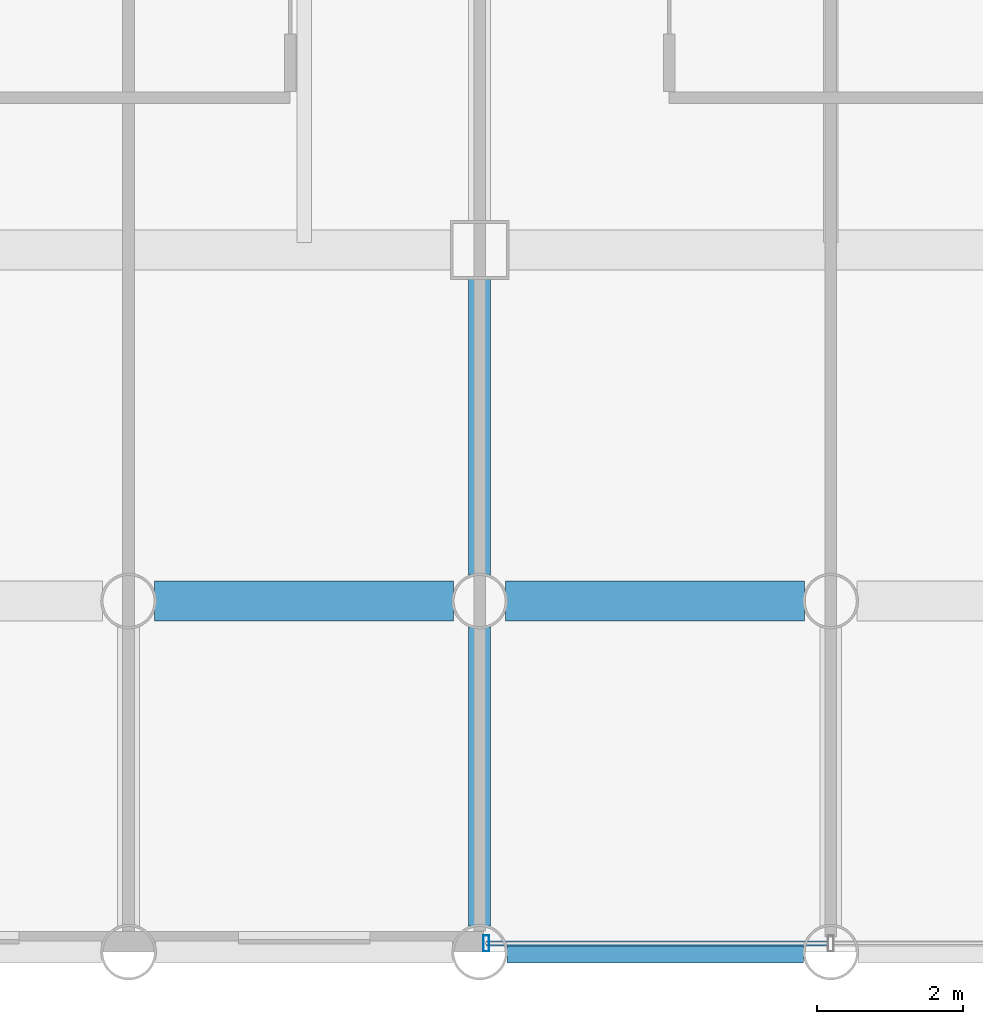
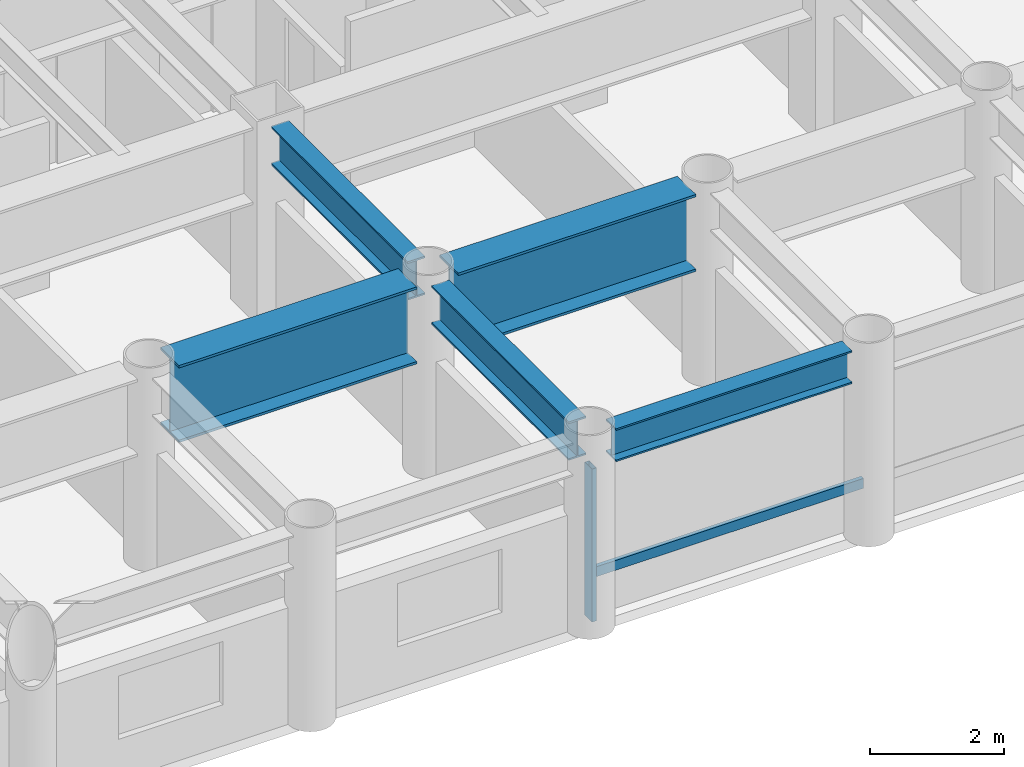
# One storey, part 2 of 24: 5 beams, 2 members, 1 element without a shape of its own.
"""IFC4 building model written with IfcOpenShell, lengths in metres."""

from ifc_helpers import new_model, si_unit, direction, frame, origin, origin_2d, place, context, subcontext, project, spatial, hollow_rectangle, i_section, extrude, material, layer, layer_set, material_profile, profile_set, type_object, element, aggregate, save


model = new_model("IFC4")

# Units and contexts
model_context = context("Model", 3, precision=1e-05, world=origin(), true_north=direction((0.0, 1.0)))
body_context = subcontext(model_context, "Body", "Model", "MODEL_VIEW")
ifc_project = project(units=[si_unit("LENGTHUNIT", "METRE"), si_unit("AREAUNIT", "SQUARE_METRE"), si_unit("VOLUMEUNIT", "CUBIC_METRE"), si_unit("PLANEANGLEUNIT", "RADIAN"), si_unit("MASSUNIT", "GRAM", prefix="KILO")], contexts=[model_context])

# Site, building, storey
site_placement = place(None, origin())
site = spatial("IfcSite", under=ifc_project, at=site_placement, CompositionType="ELEMENT")
building_placement = place(site_placement, origin())
building = spatial("IfcBuilding", under=site, at=building_placement, Name="Kallvorn Hotel Tower", CompositionType="ELEMENT")
storey_placement = place(building_placement, frame((0.0, 0.0, 30.0)))
storey = spatial("IfcBuildingStorey", under=building, at=storey_placement, Name="L05", CompositionType="ELEMENT", Elevation=30.0)

# Beams
ifc_material_1 = material(Name="Structural steel S355JR", Category="steel")
ifc_material_profile_1 = material_profile(ifc_material_1, i_section(OverallWidth=0.300048828125, OverallDepth=0.60009765625, WebThickness=0.015380859375, FlangeThickness=0.030029296875, at=origin_2d()), Name="HE 600 B")
ifc_profile_set_1 = profile_set([ifc_material_profile_1], Name="Structural steel S355JR")
beam_type_1 = type_object("IfcBeamType", Name="BM_HE600B", PredefinedType="SPANDREL", material=ifc_profile_set_1)
beam_1_placement = place(storey_placement, frame((-4.428955078125, -24.0, 3.219970703125), z_axis=(1.0, 0.0, 0.0), x_axis=(0.0, 1.0, 0.0)))
element("IfcBeam", 1, at=beam_1_placement, inside=storey, type_object=beam_type_1, Name="L06 Perimeter Spandrel 156", PredefinedType="SPANDREL", context=body_context, shape_type="SweptSolid", body=[
    extrude(i_section(OverallWidth=0.300048828125, OverallDepth=0.60009765625, WebThickness=0.015380859375, FlangeThickness=0.030029296875, at=origin_2d()), origin(), (0.0, 0.0, 1.0), 4.057861328125),
])
ifc_material_2 = material(Name="Structural steel S355JR", Category="steel")
ifc_material_profile_2 = material_profile(ifc_material_2, i_section(OverallWidth=0.300048828125, OverallDepth=0.699951171875, WebThickness=0.01708984375, FlangeThickness=0.031982421875, at=origin_2d()), Name="HE 700 B")
ifc_profile_set_2 = profile_set([ifc_material_profile_2], Name="Structural steel S355JR")
beam_type_2 = type_object("IfcBeamType", Name="BM_HE700B", PredefinedType="BEAM", material=ifc_profile_set_2)
beam_2_placement = place(storey_placement, frame((-4.800048828125, -23.64404296875, 3.169921875), z_axis=(0.0, 1.0, 0.0), x_axis=(-1.0, 0.0, 0.0)))
element("IfcBeam", 2, at=beam_2_placement, inside=storey, type_object=beam_type_2, Name="L06 Primary Y-Girder 106", PredefinedType="BEAM", context=body_context, shape_type="SweptSolid", body=[
    extrude(i_section(OverallWidth=0.300048828125, OverallDepth=0.699951171875, WebThickness=0.01708984375, FlangeThickness=0.031982421875, at=origin_2d()), origin(), (0.0, 0.0, 1.0), 4.088134765625),
])
beam_3_placement = place(storey_placement, frame((-4.800048828125, -18.843994140625, 3.169921875), z_axis=(0.0, 1.0, 0.0), x_axis=(-1.0, 0.0, 0.0)))
element("IfcBeam", 3, at=beam_3_placement, inside=storey, type_object=beam_type_2, Name="L06 Primary Y-Girder 107", PredefinedType="BEAM", context=body_context, shape_type="SweptSolid", body=[
    extrude(i_section(OverallWidth=0.300048828125, OverallDepth=0.699951171875, WebThickness=0.01708984375, FlangeThickness=0.031982421875, at=origin_2d()), origin(), (0.0, 0.0, 1.0), 4.069091796875),
])
ifc_material_3 = material(Name="Structural steel S355JR", Category="steel")
ifc_material_profile_3 = material_profile(ifc_material_3, i_section(OverallWidth=0.550048828125, OverallDepth=1.39990234375, WebThickness=0.02490234375, FlangeThickness=0.044921875, at=origin_2d()), Name="PG 1400x550x25x45")
ifc_profile_set_3 = profile_set([ifc_material_profile_3], Name="Structural steel S355JR")
beam_type_3 = type_object("IfcBeamType", Name="BM_PG_1400", PredefinedType="BEAM", material=ifc_profile_set_3)
beam_4_placement = place(storey_placement, frame((-9.243896484375, -19.199951171875, 2.820068359375), z_axis=(1.0, 0.0, 0.0), x_axis=(0.0, 1.0, 0.0)))
element("IfcBeam", 4, at=beam_4_placement, inside=storey, type_object=beam_type_3, Name="L06 Primary X-Girder 06", PredefinedType="BEAM", context=body_context, shape_type="SweptSolid", body=[
    extrude(i_section(OverallWidth=0.550048828125, OverallDepth=1.39990234375, WebThickness=0.02490234375, FlangeThickness=0.044921875, at=origin_2d()), origin(), (0.0, 0.0, 1.0), 4.087890625),
])
beam_5_placement = place(storey_placement, frame((-4.444091796875, -19.199951171875, 2.820068359375), z_axis=(1.0, 0.0, 0.0), x_axis=(0.0, 1.0, 0.0)))
element("IfcBeam", 5, at=beam_5_placement, inside=storey, type_object=beam_type_3, Name="L06 Primary X-Girder 07", PredefinedType="BEAM", context=body_context, shape_type="SweptSolid", body=[
    extrude(i_section(OverallWidth=0.550048828125, OverallDepth=1.39990234375, WebThickness=0.02490234375, FlangeThickness=0.044921875, at=origin_2d()), origin(), (0.0, 0.0, 1.0), 4.088134765625),
])

# Curtain wall, members
ifc_material_4 = material(Name="Thermally broken black-anodised aluminium AA 6063-T6", Category="aluminium")
ifc_layer = layer(ifc_material_4, 0.199951171875)
ifc_layer_set = layer_set([ifc_layer], Name="CW_SYS_3_HOTEL_LOW")
curtain_wall_type = type_object("IfcCurtainWallType", Name="CW_SYS_3_HOTEL_LOW", PredefinedType="USERDEFINED", material=ifc_layer_set)
curtain_wall_placement = place(storey_placement, origin())
curtain_wall = element("IfcCurtainWall", 6, at=curtain_wall_placement, inside=storey, type_object=curtain_wall_type, Name="L05 Dark-Glass Curtain Wall CW-L05-SC", ObjectType="UNITISED CURTAIN WALL", PredefinedType="USERDEFINED")
ifc_material_5 = material(Name="Thermally broken black-anodised aluminium AA 6063-T6", Category="aluminium")
ifc_material_profile_4 = material_profile(ifc_material_5, hollow_rectangle(XDim=0.080078125, YDim=0.219970703125, WallThickness=0.0048828125, at=origin_2d()), Name="MUL 220x80")
ifc_profile_set_4 = profile_set([ifc_material_profile_4], Name="Thermally broken black-anodised aluminium AA 6063-T6")
member_type_1 = type_object("IfcMemberType", Name="CW_MULLION_220x80", PredefinedType="MULLION", material=ifc_profile_set_4)
member_1_placement = place(storey_placement, frame((-4.7099609375, -23.8798828125, 0.02001953125), z_axis=(0.0, 0.0, 1.0), x_axis=(1.0, 0.0, 0.0)))
member_1 = element("IfcMember", 7, at=member_1_placement, type_object=member_type_1, Name="CW-L05-SC Mullion 00", PredefinedType="MULLION", context=body_context, shape_type="SweptSolid", body=[
    extrude(hollow_rectangle(XDim=0.080078125, YDim=0.219970703125, WallThickness=0.0048828125, at=origin_2d()), origin(), (0.0, 0.0, 1.0), 2.780029296875),
])
ifc_material_6 = material(Name="Thermally broken black-anodised aluminium AA 6063-T6", Category="aluminium")
ifc_material_profile_5 = material_profile(ifc_material_6, hollow_rectangle(XDim=0.070068359375, YDim=0.179931640625, WallThickness=0.00390625, at=origin_2d()), Name="TRN 180x70")
ifc_profile_set_5 = profile_set([ifc_material_profile_5], Name="Thermally broken black-anodised aluminium AA 6063-T6")
member_type_2 = type_object("IfcMemberType", Name="CW_TRANSOM_180x70", PredefinedType="USERDEFINED", material=ifc_profile_set_5)
member_2_placement = place(storey_placement, frame((-4.7099609375, -23.8798828125, 0.85009765625), z_axis=(1.0, 0.0, 0.0), x_axis=(0.0, 1.0, 0.0)))
member_2 = element("IfcMember", 8, at=member_2_placement, type_object=member_type_2, Name="CW-L05-SC Transom 00M", ObjectType="TRANSOM", PredefinedType="USERDEFINED", context=body_context, shape_type="SweptSolid", body=[
    extrude(hollow_rectangle(XDim=0.070068359375, YDim=0.179931640625, WallThickness=0.00390625, at=origin_2d()), origin(), (0.0, 0.0, 1.0), 4.669921875),
])
aggregate(curtain_wall, [member_1, member_2])

save(model, "model.ifc")
